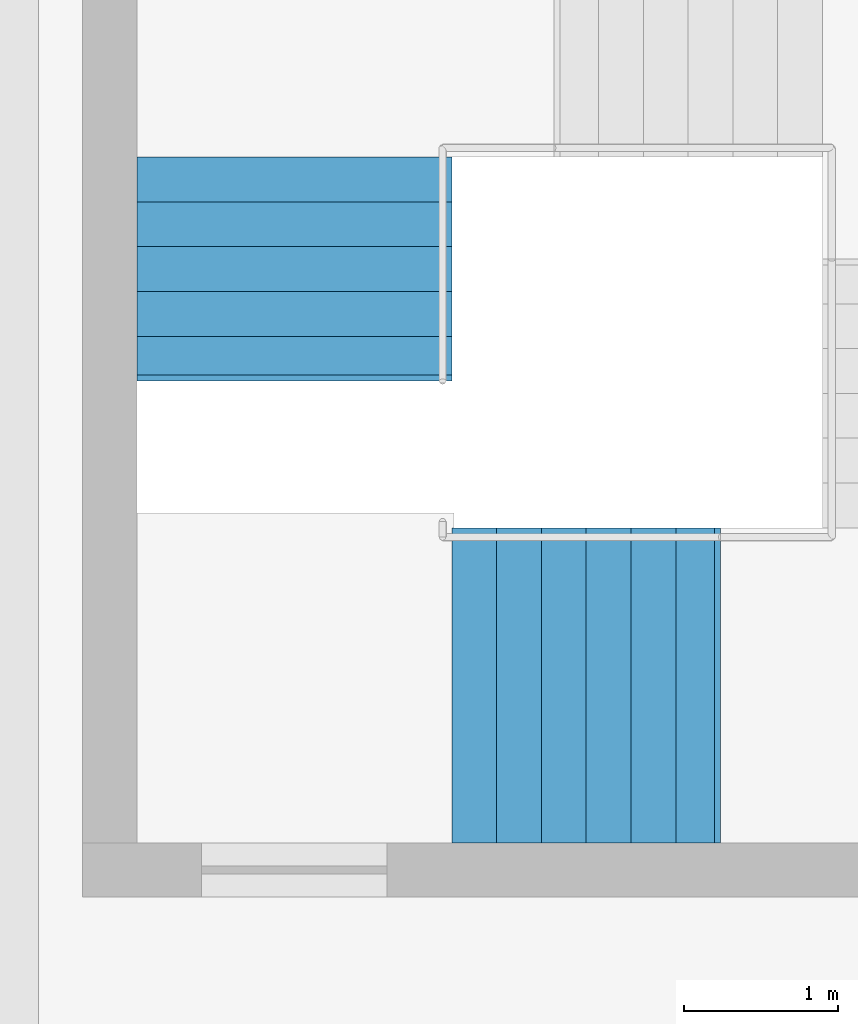
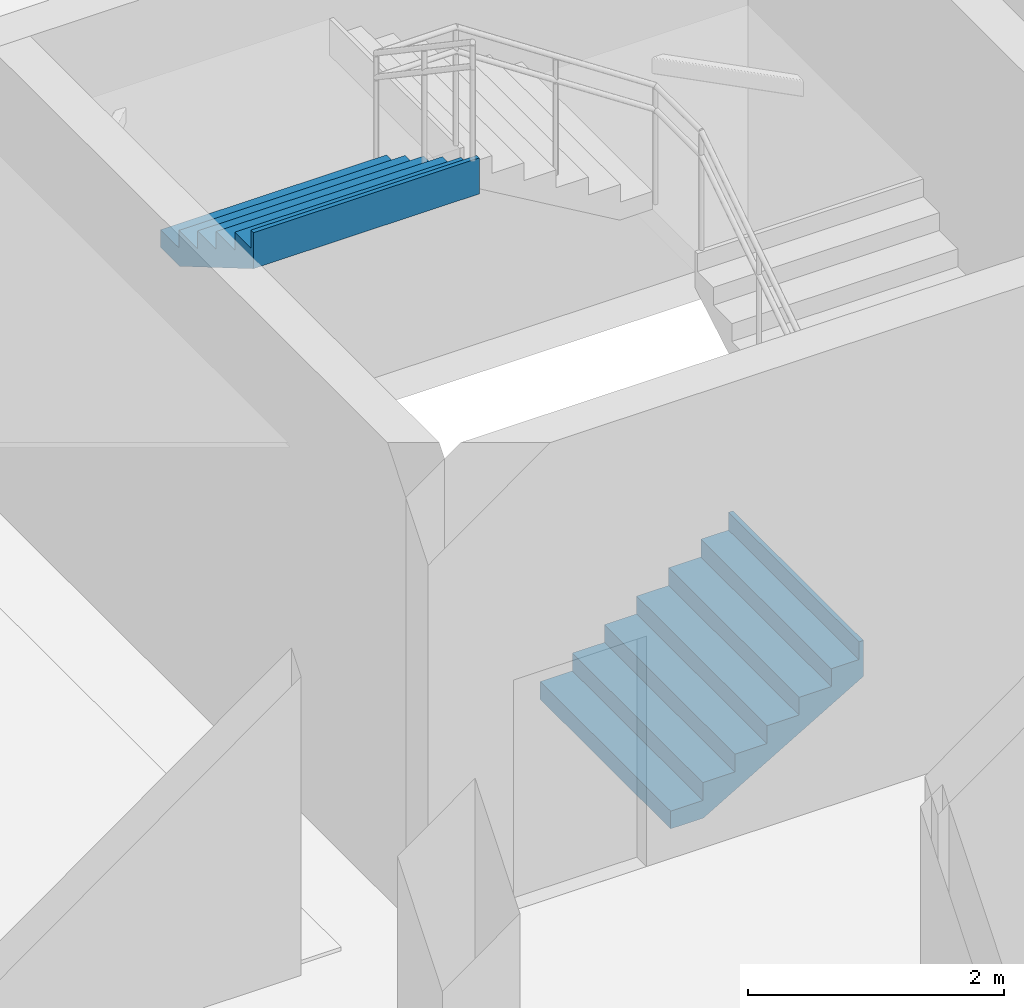
# One storey, part 50 of 58: 2 stair flights, 1 element without a shape of its own.
"""IFC4 building model written with IfcOpenShell, lengths in metres."""

from ifc_helpers import new_model, si_unit, direction, frame, origin, place, context, subcontext, project, spatial, triangles, material, type_object, element, aggregate, save


model = new_model("IFC4")

# Units and contexts
model_context = context("Model", 3, precision=1e-05, world=origin(), true_north=direction((0.0, 1.0)))
body_context = subcontext(model_context, "Body", "Model", "MODEL_VIEW")
ifc_project = project(units=[si_unit("LENGTHUNIT", "METRE"), si_unit("AREAUNIT", "SQUARE_METRE"), si_unit("VOLUMEUNIT", "CUBIC_METRE"), si_unit("PLANEANGLEUNIT", "RADIAN"), si_unit("MASSUNIT", "GRAM", prefix="KILO")], contexts=[model_context])

# Site, building, storey
site_placement = place(None, origin())
site = spatial("IfcSite", under=ifc_project, at=site_placement, CompositionType="ELEMENT")
building_placement = place(site_placement, origin())
building = spatial("IfcBuilding", under=site, at=building_placement, Name="Sillaruma Civic Art Gallery", CompositionType="ELEMENT")
storey_placement = place(building_placement, frame((0.0, 0.0, 28.56005859375)))
storey = spatial("IfcBuildingStorey", under=building, at=storey_placement, Name="L05", CompositionType="ELEMENT", Elevation=28.56005859375)

# Stair, stair flights
ifc_material = material(Name="Concrete H35 (35 MPa)", Category="concrete")
stair_type = type_object("IfcStairType", Name="STR-4F-27", PredefinedType="USERDEFINED", material=ifc_material)
stair_placement = place(storey_placement, origin())
stair = element("IfcStair", 1, at=stair_placement, inside=storey, type_object=stair_type, Name="Protected Exit Stair ST-04 (East Bar) (L05)", ObjectType="THREE_RETURN_STAIR", PredefinedType="USERDEFINED")
stair_flight_type_1 = type_object("IfcStairFlightType", Name="SFL-STR-6", PredefinedType="STRAIGHT", material=ifc_material)
stair_flight_1_placement = place(storey_placement, frame((99.8798828125, 55.64990234375, 3.56982421875), z_axis=(0.0, 0.0, 1.0), x_axis=(0.0, -1.0, 0.0)))
stair_flight_1 = element("IfcStairFlight", 2, at=stair_flight_1_placement, type_object=stair_flight_type_1, Name="ST-04 flight 4", NumberOfRisers=6, NumberOfTreads=5, PredefinedType="STRAIGHT", RiserHeight=0.17, TreadLength=0.29, context=body_context, shape_type="Tessellation", body=[
    triangles([(0.0, -1.02001953125, 0.0), (0.29, -1.02001953125, 0.0), (0.296365, -1.02001953125, 0.0), (0.58, -1.02001953125, 0.166269), (0.87, -1.02001953125, 0.336269), (1.16, -1.02001953125, 0.506269), (1.409951, -1.02001953125, 0.652792), (1.449951, -1.02001953125, 0.67624), (1.449951, -1.02001953125, 1.02), (1.409951, -1.02001953125, 1.02), (1.409951, -1.02001953125, 0.85), (1.16, -1.02001953125, 0.85), (1.16, -1.02001953125, 0.68), (0.87, -1.02001953125, 0.68), (0.87, -1.02001953125, 0.51), (0.58, -1.02001953125, 0.51), (0.58, -1.02001953125, 0.34), (0.296365, -1.02001953125, 0.34), (0.29, -1.02001953125, 0.34), (0.29, -1.02001953125, 0.17), (0.0, -1.02001953125, 0.17), (0.0, -0.05, 0.0), (0.29, -0.05, 0.0), (0.296365, -0.05, 0.0), (0.58, -0.05, 0.166269), (0.87, -0.05, 0.336269), (1.16, -0.05, 0.506269), (1.409951, -0.05, 0.652792), (1.449951, -0.05, 0.67624), (1.449951, -0.05, 1.02), (1.409951, -0.05, 1.02), (1.409951, -0.05, 0.85), (1.16, -0.05, 0.85), (1.16, -0.05, 0.68), (0.87, -0.05, 0.68), (0.87, -0.05, 0.51), (0.58, -0.05, 0.51), (0.58, -0.05, 0.34), (0.296365, -0.05, 0.34), (0.29, -0.05, 0.34), (0.29, -0.05, 0.17), (0.0, -0.05, 0.17), (0.0, -0.0375, 0.0), (0.29, -0.0375, 0.0), (0.296365, -0.0375, 0.0), (0.58, -0.0375, 0.166269), (0.87, -0.0375, 0.336269), (1.16, -0.0375, 0.506269), (1.409951, -0.0375, 0.652792), (1.449951, -0.0375, 0.67624), (1.449951, -0.0375, 1.02), (1.409951, -0.0375, 1.02), (1.409951, -0.0375, 0.85), (1.16, -0.0375, 0.85), (1.16, -0.0375, 0.68), (0.87, -0.0375, 0.68), (0.87, -0.0375, 0.51), (0.58, -0.0375, 0.51), (0.58, -0.0375, 0.34), (0.296365, -0.0375, 0.34), (0.29, -0.0375, 0.34), (0.29, -0.0375, 0.17), (0.0, -0.0375, 0.17), (0.0, -0.025, 0.0), (0.29, -0.025, 0.0), (0.296365, -0.025, 0.0), (0.58, -0.025, 0.166269), (0.87, -0.025, 0.336269), (1.16, -0.025, 0.506269), (1.409951, -0.025, 0.652792), (1.449951, -0.025, 0.67624), (1.449951, -0.025, 1.02), (1.409951, -0.025, 1.02), (1.409951, -0.025, 0.85), (1.16, -0.025, 0.85), (1.16, -0.025, 0.68), (0.87, -0.025, 0.68), (0.87, -0.025, 0.51), (0.58, -0.025, 0.51), (0.58, -0.025, 0.34), (0.296365, -0.025, 0.34), (0.29, -0.025, 0.34), (0.29, -0.025, 0.17), (0.0, -0.025, 0.17), (0.0, -0.0125, 0.0), (0.29, -0.0125, 0.0), (0.296365, -0.0125, 0.0), (0.58, -0.0125, 0.166269), (0.87, -0.0125, 0.336269), (1.16, -0.0125, 0.506269), (1.409951, -0.0125, 0.652792), (1.449951, -0.0125, 0.67624), (1.449951, -0.0125, 1.02), (1.409951, -0.0125, 1.02), (1.409951, -0.0125, 0.85), (1.16, -0.0125, 0.85), (1.16, -0.0125, 0.68), (0.87, -0.0125, 0.68), (0.87, -0.0125, 0.51), (0.58, -0.0125, 0.51), (0.58, -0.0125, 0.34), (0.296365, -0.0125, 0.34), (0.29, -0.0125, 0.34), (0.29, -0.0125, 0.17), (0.0, -0.0125, 0.17), (0.0, 0.0, 0.0), (0.29, 0.0, 0.0), (0.296365, 0.0, 0.0), (0.58, 0.0, 0.166269), (0.87, 0.0, 0.336269), (1.16, 0.0, 0.506269), (1.409951, 0.0, 0.652792), (1.449951, 0.0, 0.67624), (1.449951, 0.0, 1.02), (1.409951, 0.0, 1.02), (1.409951, 0.0, 0.85), (1.16, 0.0, 0.85), (1.16, 0.0, 0.68), (0.87, 0.0, 0.68), (0.87, 0.0, 0.51), (0.58, 0.0, 0.51), (0.58, 0.0, 0.34), (0.296365, 0.0, 0.34), (0.29, 0.0, 0.34), (0.29, 0.0, 0.17), (0.0, 0.0, 0.17), (0.0, 0.0125, 0.0), (0.29, 0.0125, 0.0), (0.296365, 0.0125, 0.0), (0.58, 0.0125, 0.166269), (0.87, 0.0125, 0.336269), (1.16, 0.0125, 0.506269), (1.409951, 0.0125, 0.652792), (1.449951, 0.0125, 0.67624), (1.449951, 0.0125, 1.02), (1.409951, 0.0125, 1.02), (1.409951, 0.0125, 0.85), (1.16, 0.0125, 0.85), (1.16, 0.0125, 0.68), (0.87, 0.0125, 0.68), (0.87, 0.0125, 0.51), (0.58, 0.0125, 0.51), (0.58, 0.0125, 0.34), (0.296365, 0.0125, 0.34), (0.29, 0.0125, 0.34), (0.29, 0.0125, 0.17), (0.0, 0.0125, 0.17), (0.0, 0.025, 0.0), (0.29, 0.025, 0.0), (0.296365, 0.025, 0.0), (0.58, 0.025, 0.166269), (0.87, 0.025, 0.336269), (1.16, 0.025, 0.506269), (1.409951, 0.025, 0.652792), (1.449951, 0.025, 0.67624), (1.449951, 0.025, 1.02), (1.409951, 0.025, 1.02), (1.409951, 0.025, 0.85), (1.16, 0.025, 0.85), (1.16, 0.025, 0.68), (0.87, 0.025, 0.68), (0.87, 0.025, 0.51), (0.58, 0.025, 0.51), (0.58, 0.025, 0.34), (0.296365, 0.025, 0.34), (0.29, 0.025, 0.34), (0.29, 0.025, 0.17), (0.0, 0.025, 0.17), (0.0, 0.0375, 0.0), (0.29, 0.0375, 0.0), (0.296365, 0.0375, 0.0), (0.58, 0.0375, 0.166269), (0.87, 0.0375, 0.336269), (1.16, 0.0375, 0.506269), (1.409951, 0.0375, 0.652792), (1.449951, 0.0375, 0.67624), (1.449951, 0.0375, 1.02), (1.409951, 0.0375, 1.02), (1.409951, 0.0375, 0.85), (1.16, 0.0375, 0.85), (1.16, 0.0375, 0.68), (0.87, 0.0375, 0.68), (0.87, 0.0375, 0.51), (0.58, 0.0375, 0.51), (0.58, 0.0375, 0.34), (0.296365, 0.0375, 0.34), (0.29, 0.0375, 0.34), (0.29, 0.0375, 0.17), (0.0, 0.0375, 0.17), (0.0, 0.05, 0.0), (0.29, 0.05, 0.0), (0.296365, 0.05, 0.0), (0.58, 0.05, 0.166269), (0.87, 0.05, 0.336269), (1.16, 0.05, 0.506269), (1.409951, 0.05, 0.652792), (1.449951, 0.05, 0.67624), (1.449951, 0.05, 1.02), (1.409951, 0.05, 1.02), (1.409951, 0.05, 0.85), (1.16, 0.05, 0.85), (1.16, 0.05, 0.68), (0.87, 0.05, 0.68), (0.87, 0.05, 0.51), (0.58, 0.05, 0.51), (0.58, 0.05, 0.34), (0.296365, 0.05, 0.34), (0.29, 0.05, 0.34), (0.29, 0.05, 0.17), (0.0, 0.05, 0.17), (0.0, 1.02001953125, 0.0), (0.29, 1.02001953125, 0.0), (0.296365, 1.02001953125, 0.0), (0.58, 1.02001953125, 0.166269), (0.87, 1.02001953125, 0.336269), (1.16, 1.02001953125, 0.506269), (1.409951, 1.02001953125, 0.652792), (1.449951, 1.02001953125, 0.67624), (1.449951, 1.02001953125, 1.02), (1.409951, 1.02001953125, 1.02), (1.409951, 1.02001953125, 0.85), (1.16, 1.02001953125, 0.85), (1.16, 1.02001953125, 0.68), (0.87, 1.02001953125, 0.68), (0.87, 1.02001953125, 0.51), (0.58, 1.02001953125, 0.51), (0.58, 1.02001953125, 0.34), (0.296365, 1.02001953125, 0.34), (0.29, 1.02001953125, 0.34), (0.29, 1.02001953125, 0.17), (0.0, 1.02001953125, 0.17)], [[1, 2, 20], [1, 20, 21], [2, 3, 18], [2, 18, 20], [20, 18, 19], [3, 4, 17], [3, 17, 18], [4, 5, 15], [4, 15, 17], [17, 15, 16], [5, 6, 13], [5, 13, 15], [15, 13, 14], [6, 7, 11], [6, 11, 13], [13, 11, 12], [7, 8, 9], [7, 9, 11], [11, 9, 10], [230, 212, 211], [231, 230, 211], [228, 213, 212], [230, 228, 212], [229, 228, 230], [227, 214, 213], [228, 227, 213], [225, 215, 214], [227, 225, 214], [226, 225, 227], [223, 216, 215], [225, 223, 215], [224, 223, 225], [221, 217, 216], [223, 221, 216], [222, 221, 223], [219, 218, 217], [221, 219, 217], [220, 219, 221], [2, 1, 22], [2, 22, 23], [3, 2, 23], [3, 23, 24], [4, 3, 24], [4, 24, 25], [5, 4, 25], [5, 25, 26], [6, 5, 26], [6, 26, 27], [7, 6, 27], [7, 27, 28], [8, 7, 28], [8, 28, 29], [9, 8, 29], [9, 29, 30], [10, 9, 30], [10, 30, 31], [11, 10, 31], [11, 31, 32], [12, 11, 32], [12, 32, 33], [13, 12, 33], [13, 33, 34], [14, 13, 34], [14, 34, 35], [15, 14, 35], [15, 35, 36], [16, 15, 36], [16, 36, 37], [17, 16, 37], [17, 37, 38], [18, 17, 38], [18, 38, 39], [19, 18, 39], [19, 39, 40], [20, 19, 40], [20, 40, 41], [21, 20, 41], [21, 41, 42], [1, 21, 42], [1, 42, 22], [23, 22, 43], [23, 43, 44], [24, 23, 44], [24, 44, 45], [25, 24, 45], [25, 45, 46], [26, 25, 46], [26, 46, 47], [27, 26, 47], [27, 47, 48], [28, 27, 48], [28, 48, 49], [29, 28, 49], [29, 49, 50], [30, 29, 50], [30, 50, 51], [31, 30, 51], [31, 51, 52], [32, 31, 52], [32, 52, 53], [33, 32, 53], [33, 53, 54], [34, 33, 54], [34, 54, 55], [35, 34, 55], [35, 55, 56], [36, 35, 56], [36, 56, 57], [37, 36, 57], [37, 57, 58], [38, 37, 58], [38, 58, 59], [39, 38, 59], [39, 59, 60], [40, 39, 60], [40, 60, 61], [41, 40, 61], [41, 61, 62], [42, 41, 62], [42, 62, 63], [22, 42, 63], [22, 63, 43], [44, 43, 64], [44, 64, 65], [45, 44, 65], [45, 65, 66], [46, 45, 66], [46, 66, 67], [47, 46, 67], [47, 67, 68], [48, 47, 68], [48, 68, 69], [49, 48, 69], [49, 69, 70], [50, 49, 70], [50, 70, 71], [51, 50, 71], [51, 71, 72], [52, 51, 72], [52, 72, 73], [53, 52, 73], [53, 73, 74], [54, 53, 74], [54, 74, 75], [55, 54, 75], [55, 75, 76], [56, 55, 76], [56, 76, 77], [57, 56, 77], [57, 77, 78], [58, 57, 78], [58, 78, 79], [59, 58, 79], [59, 79, 80], [60, 59, 80], [60, 80, 81], [61, 60, 81], [61, 81, 82], [62, 61, 82], [62, 82, 83], [63, 62, 83], [63, 83, 84], [43, 63, 84], [43, 84, 64], [65, 64, 85], [65, 85, 86], [66, 65, 86], [66, 86, 87], [67, 66, 87], [67, 87, 88], [68, 67, 88], [68, 88, 89], [69, 68, 89], [69, 89, 90], [70, 69, 90], [70, 90, 91], [71, 70, 91], [71, 91, 92], [72, 71, 92], [72, 92, 93], [73, 72, 93], [73, 93, 94], [74, 73, 94], [74, 94, 95], [75, 74, 95], [75, 95, 96], [76, 75, 96], [76, 96, 97], [77, 76, 97], [77, 97, 98], [78, 77, 98], [78, 98, 99], [79, 78, 99], [79, 99, 100], [80, 79, 100], [80, 100, 101], [81, 80, 101], [81, 101, 102], [82, 81, 102], [82, 102, 103], [83, 82, 103], [83, 103, 104], [84, 83, 104], [84, 104, 105], [64, 84, 105], [64, 105, 85], [86, 85, 106], [86, 106, 107], [87, 86, 107], [87, 107, 108], [88, 87, 108], [88, 108, 109], [89, 88, 109], [89, 109, 110], [90, 89, 110], [90, 110, 111], [91, 90, 111], [91, 111, 112], [92, 91, 112], [92, 112, 113], [93, 92, 113], [93, 113, 114], [94, 93, 114], [94, 114, 115], [95, 94, 115], [95, 115, 116], [96, 95, 116], [96, 116, 117], [97, 96, 117], [97, 117, 118], [98, 97, 118], [98, 118, 119], [99, 98, 119], [99, 119, 120], [100, 99, 120], [100, 120, 121], [101, 100, 121], [101, 121, 122], [102, 101, 122], [102, 122, 123], [103, 102, 123], [103, 123, 124], [104, 103, 124], [104, 124, 125], [105, 104, 125], [105, 125, 126], [85, 105, 126], [85, 126, 106], [107, 106, 127], [107, 127, 128], [108, 107, 128], [108, 128, 129], [109, 108, 129], [109, 129, 130], [110, 109, 130], [110, 130, 131], [111, 110, 131], [111, 131, 132], [112, 111, 132], [112, 132, 133], [113, 112, 133], [113, 133, 134], [114, 113, 134], [114, 134, 135], [115, 114, 135], [115, 135, 136], [116, 115, 136], [116, 136, 137], [117, 116, 137], [117, 137, 138], [118, 117, 138], [118, 138, 139], [119, 118, 139], [119, 139, 140], [120, 119, 140], [120, 140, 141], [121, 120, 141], [121, 141, 142], [122, 121, 142], [122, 142, 143], [123, 122, 143], [123, 143, 144], [124, 123, 144], [124, 144, 145], [125, 124, 145], [125, 145, 146], [126, 125, 146], [126, 146, 147], [106, 126, 147], [106, 147, 127], [128, 127, 148], [128, 148, 149], [129, 128, 149], [129, 149, 150], [130, 129, 150], [130, 150, 151], [131, 130, 151], [131, 151, 152], [132, 131, 152], [132, 152, 153], [133, 132, 153], [133, 153, 154], [134, 133, 154], [134, 154, 155], [135, 134, 155], [135, 155, 156], [136, 135, 156], [136, 156, 157], [137, 136, 157], [137, 157, 158], [138, 137, 158], [138, 158, 159], [139, 138, 159], [139, 159, 160], [140, 139, 160], [140, 160, 161], [141, 140, 161], [141, 161, 162], [142, 141, 162], [142, 162, 163], [143, 142, 163], [143, 163, 164], [144, 143, 164], [144, 164, 165], [145, 144, 165], [145, 165, 166], [146, 145, 166], [146, 166, 167], [147, 146, 167], [147, 167, 168], [127, 147, 168], [127, 168, 148], [149, 148, 169], [149, 169, 170], [150, 149, 170], [150, 170, 171], [151, 150, 171], [151, 171, 172], [152, 151, 172], [152, 172, 173], [153, 152, 173], [153, 173, 174], [154, 153, 174], [154, 174, 175], [155, 154, 175], [155, 175, 176], [156, 155, 176], [156, 176, 177], [157, 156, 177], [157, 177, 178], [158, 157, 178], [158, 178, 179], [159, 158, 179], [159, 179, 180], [160, 159, 180], [160, 180, 181], [161, 160, 181], [161, 181, 182], [162, 161, 182], [162, 182, 183], [163, 162, 183], [163, 183, 184], [164, 163, 184], [164, 184, 185], [165, 164, 185], [165, 185, 186], [166, 165, 186], [166, 186, 187], [167, 166, 187], [167, 187, 188], [168, 167, 188], [168, 188, 189], [148, 168, 189], [148, 189, 169], [170, 169, 190], [170, 190, 191], [171, 170, 191], [171, 191, 192], [172, 171, 192], [172, 192, 193], [173, 172, 193], [173, 193, 194], [174, 173, 194], [174, 194, 195], [175, 174, 195], [175, 195, 196], [176, 175, 196], [176, 196, 197], [177, 176, 197], [177, 197, 198], [178, 177, 198], [178, 198, 199], [179, 178, 199], [179, 199, 200], [180, 179, 200], [180, 200, 201], [181, 180, 201], [181, 201, 202], [182, 181, 202], [182, 202, 203], [183, 182, 203], [183, 203, 204], [184, 183, 204], [184, 204, 205], [185, 184, 205], [185, 205, 206], [186, 185, 206], [186, 206, 207], [187, 186, 207], [187, 207, 208], [188, 187, 208], [188, 208, 209], [189, 188, 209], [189, 209, 210], [169, 189, 210], [169, 210, 190], [191, 190, 211], [191, 211, 212], [192, 191, 212], [192, 212, 213], [193, 192, 213], [193, 213, 214], [194, 193, 214], [194, 214, 215], [195, 194, 215], [195, 215, 216], [196, 195, 216], [196, 216, 217], [197, 196, 217], [197, 217, 218], [198, 197, 218], [198, 218, 219], [199, 198, 219], [199, 219, 220], [200, 199, 220], [200, 220, 221], [201, 200, 221], [201, 221, 222], [202, 201, 222], [202, 222, 223], [203, 202, 223], [203, 223, 224], [204, 203, 224], [204, 224, 225], [205, 204, 225], [205, 225, 226], [206, 205, 226], [206, 226, 227], [207, 206, 227], [207, 227, 228], [208, 207, 228], [208, 228, 229], [209, 208, 229], [209, 229, 230], [210, 209, 230], [210, 230, 231], [190, 210, 231], [190, 231, 211]], closed=True),
])
stair_flight_type_2 = type_object("IfcStairFlightType", Name="SFL-STR-7", PredefinedType="STRAIGHT", material=ifc_material)
stair_flight_2_placement = place(storey_placement, frame((100.89990234375, 52.22998046875, 0.0), z_axis=(0.0, 0.0, 1.0), x_axis=(1.0, 0.0, 0.0)))
stair_flight_2 = element("IfcStairFlight", 3, at=stair_flight_2_placement, type_object=stair_flight_type_2, Name="ST-04 flight 1", NumberOfRisers=7, NumberOfTreads=6, PredefinedType="STRAIGHT", RiserHeight=0.17, TreadLength=0.29, context=body_context, shape_type="Tessellation", body=[
    triangles([(0.0, -1.02001953125, 0.0), (0.29, -1.02001953125, 0.0), (0.296404, -1.02001953125, 0.0), (0.58, -1.02001953125, 0.166246), (0.87, -1.02001953125, 0.336246), (1.16, -1.02001953125, 0.506246), (1.45, -1.02001953125, 0.676246), (1.69999, -1.02001953125, 0.822792), (1.73999, -1.02001953125, 0.84624), (1.73999, -1.02001953125, 1.19), (1.69999, -1.02001953125, 1.19), (1.69999, -1.02001953125, 1.02), (1.45, -1.02001953125, 1.02), (1.45, -1.02001953125, 0.85), (1.16, -1.02001953125, 0.85), (1.16, -1.02001953125, 0.68), (0.87, -1.02001953125, 0.68), (0.87, -1.02001953125, 0.51), (0.58, -1.02001953125, 0.51), (0.58, -1.02001953125, 0.34), (0.296404, -1.02001953125, 0.34), (0.29, -1.02001953125, 0.34), (0.29, -1.02001953125, 0.17), (0.0, -1.02001953125, 0.17), (0.0, -0.05, 0.0), (0.29, -0.05, 0.0), (0.296404, -0.05, 0.0), (0.58, -0.05, 0.166246), (0.87, -0.05, 0.336246), (1.16, -0.05, 0.506246), (1.45, -0.05, 0.676246), (1.69999, -0.05, 0.822792), (1.73999, -0.05, 0.84624), (1.73999, -0.05, 1.19), (1.69999, -0.05, 1.19), (1.69999, -0.05, 1.02), (1.45, -0.05, 1.02), (1.45, -0.05, 0.85), (1.16, -0.05, 0.85), (1.16, -0.05, 0.68), (0.87, -0.05, 0.68), (0.87, -0.05, 0.51), (0.58, -0.05, 0.51), (0.58, -0.05, 0.34), (0.296404, -0.05, 0.34), (0.29, -0.05, 0.34), (0.29, -0.05, 0.17), (0.0, -0.05, 0.17), (0.0, -0.0375, 0.0), (0.29, -0.0375, 0.0), (0.296404, -0.0375, 0.0), (0.58, -0.0375, 0.166246), (0.87, -0.0375, 0.336246), (1.16, -0.0375, 0.506246), (1.45, -0.0375, 0.676246), (1.69999, -0.0375, 0.822792), (1.73999, -0.0375, 0.84624), (1.73999, -0.0375, 1.19), (1.69999, -0.0375, 1.19), (1.69999, -0.0375, 1.02), (1.45, -0.0375, 1.02), (1.45, -0.0375, 0.85), (1.16, -0.0375, 0.85), (1.16, -0.0375, 0.68), (0.87, -0.0375, 0.68), (0.87, -0.0375, 0.51), (0.58, -0.0375, 0.51), (0.58, -0.0375, 0.34), (0.296404, -0.0375, 0.34), (0.29, -0.0375, 0.34), (0.29, -0.0375, 0.17), (0.0, -0.0375, 0.17), (0.0, -0.025, 0.0), (0.29, -0.025, 0.0), (0.296404, -0.025, 0.0), (0.58, -0.025, 0.166246), (0.87, -0.025, 0.336246), (1.16, -0.025, 0.506246), (1.45, -0.025, 0.676246), (1.69999, -0.025, 0.822792), (1.73999, -0.025, 0.84624), (1.73999, -0.025, 1.19), (1.69999, -0.025, 1.19), (1.69999, -0.025, 1.02), (1.45, -0.025, 1.02), (1.45, -0.025, 0.85), (1.16, -0.025, 0.85), (1.16, -0.025, 0.68), (0.87, -0.025, 0.68), (0.87, -0.025, 0.51), (0.58, -0.025, 0.51), (0.58, -0.025, 0.34), (0.296404, -0.025, 0.34), (0.29, -0.025, 0.34), (0.29, -0.025, 0.17), (0.0, -0.025, 0.17), (0.0, -0.0125, 0.0), (0.29, -0.0125, 0.0), (0.296404, -0.0125, 0.0), (0.58, -0.0125, 0.166246), (0.87, -0.0125, 0.336246), (1.16, -0.0125, 0.506246), (1.45, -0.0125, 0.676246), (1.69999, -0.0125, 0.822792), (1.73999, -0.0125, 0.84624), (1.73999, -0.0125, 1.19), (1.69999, -0.0125, 1.19), (1.69999, -0.0125, 1.02), (1.45, -0.0125, 1.02), (1.45, -0.0125, 0.85), (1.16, -0.0125, 0.85), (1.16, -0.0125, 0.68), (0.87, -0.0125, 0.68), (0.87, -0.0125, 0.51), (0.58, -0.0125, 0.51), (0.58, -0.0125, 0.34), (0.296404, -0.0125, 0.34), (0.29, -0.0125, 0.34), (0.29, -0.0125, 0.17), (0.0, -0.0125, 0.17), (0.0, 0.0, 0.0), (0.29, 0.0, 0.0), (0.296404, 0.0, 0.0), (0.58, 0.0, 0.166246), (0.87, 0.0, 0.336246), (1.16, 0.0, 0.506246), (1.45, 0.0, 0.676246), (1.69999, 0.0, 0.822792), (1.73999, 0.0, 0.84624), (1.73999, 0.0, 1.19), (1.69999, 0.0, 1.19), (1.69999, 0.0, 1.02), (1.45, 0.0, 1.02), (1.45, 0.0, 0.85), (1.16, 0.0, 0.85), (1.16, 0.0, 0.68), (0.87, 0.0, 0.68), (0.87, 0.0, 0.51), (0.58, 0.0, 0.51), (0.58, 0.0, 0.34), (0.296404, 0.0, 0.34), (0.29, 0.0, 0.34), (0.29, 0.0, 0.17), (0.0, 0.0, 0.17), (0.0, 0.0125, 0.0), (0.29, 0.0125, 0.0), (0.296404, 0.0125, 0.0), (0.58, 0.0125, 0.166246), (0.87, 0.0125, 0.336246), (1.16, 0.0125, 0.506246), (1.45, 0.0125, 0.676246), (1.69999, 0.0125, 0.822792), (1.73999, 0.0125, 0.84624), (1.73999, 0.0125, 1.19), (1.69999, 0.0125, 1.19), (1.69999, 0.0125, 1.02), (1.45, 0.0125, 1.02), (1.45, 0.0125, 0.85), (1.16, 0.0125, 0.85), (1.16, 0.0125, 0.68), (0.87, 0.0125, 0.68), (0.87, 0.0125, 0.51), (0.58, 0.0125, 0.51), (0.58, 0.0125, 0.34), (0.296404, 0.0125, 0.34), (0.29, 0.0125, 0.34), (0.29, 0.0125, 0.17), (0.0, 0.0125, 0.17), (0.0, 0.025, 0.0), (0.29, 0.025, 0.0), (0.296404, 0.025, 0.0), (0.58, 0.025, 0.166246), (0.87, 0.025, 0.336246), (1.16, 0.025, 0.506246), (1.45, 0.025, 0.676246), (1.69999, 0.025, 0.822792), (1.73999, 0.025, 0.84624), (1.73999, 0.025, 1.19), (1.69999, 0.025, 1.19), (1.69999, 0.025, 1.02), (1.45, 0.025, 1.02), (1.45, 0.025, 0.85), (1.16, 0.025, 0.85), (1.16, 0.025, 0.68), (0.87, 0.025, 0.68), (0.87, 0.025, 0.51), (0.58, 0.025, 0.51), (0.58, 0.025, 0.34), (0.296404, 0.025, 0.34), (0.29, 0.025, 0.34), (0.29, 0.025, 0.17), (0.0, 0.025, 0.17), (0.0, 0.0375, 0.0), (0.29, 0.0375, 0.0), (0.296404, 0.0375, 0.0), (0.58, 0.0375, 0.166246), (0.87, 0.0375, 0.336246), (1.16, 0.0375, 0.506246), (1.45, 0.0375, 0.676246), (1.69999, 0.0375, 0.822792), (1.73999, 0.0375, 0.84624), (1.73999, 0.0375, 1.19), (1.69999, 0.0375, 1.19), (1.69999, 0.0375, 1.02), (1.45, 0.0375, 1.02), (1.45, 0.0375, 0.85), (1.16, 0.0375, 0.85), (1.16, 0.0375, 0.68), (0.87, 0.0375, 0.68), (0.87, 0.0375, 0.51), (0.58, 0.0375, 0.51), (0.58, 0.0375, 0.34), (0.296404, 0.0375, 0.34), (0.29, 0.0375, 0.34), (0.29, 0.0375, 0.17), (0.0, 0.0375, 0.17), (0.0, 0.05, 0.0), (0.29, 0.05, 0.0), (0.296404, 0.05, 0.0), (0.58, 0.05, 0.166246), (0.87, 0.05, 0.336246), (1.16, 0.05, 0.506246), (1.45, 0.05, 0.676246), (1.69999, 0.05, 0.822792), (1.73999, 0.05, 0.84624), (1.73999, 0.05, 1.19), (1.69999, 0.05, 1.19), (1.69999, 0.05, 1.02), (1.45, 0.05, 1.02), (1.45, 0.05, 0.85), (1.16, 0.05, 0.85), (1.16, 0.05, 0.68), (0.87, 0.05, 0.68), (0.87, 0.05, 0.51), (0.58, 0.05, 0.51), (0.58, 0.05, 0.34), (0.296404, 0.05, 0.34), (0.29, 0.05, 0.34), (0.29, 0.05, 0.17), (0.0, 0.05, 0.17), (0.0, 1.02001953125, 0.0), (0.29, 1.02001953125, 0.0), (0.296404, 1.02001953125, 0.0), (0.58, 1.02001953125, 0.166246), (0.87, 1.02001953125, 0.336246), (1.16, 1.02001953125, 0.506246), (1.45, 1.02001953125, 0.676246), (1.69999, 1.02001953125, 0.822792), (1.73999, 1.02001953125, 0.84624), (1.73999, 1.02001953125, 1.19), (1.69999, 1.02001953125, 1.19), (1.69999, 1.02001953125, 1.02), (1.45, 1.02001953125, 1.02), (1.45, 1.02001953125, 0.85), (1.16, 1.02001953125, 0.85), (1.16, 1.02001953125, 0.68), (0.87, 1.02001953125, 0.68), (0.87, 1.02001953125, 0.51), (0.58, 1.02001953125, 0.51), (0.58, 1.02001953125, 0.34), (0.296404, 1.02001953125, 0.34), (0.29, 1.02001953125, 0.34), (0.29, 1.02001953125, 0.17), (0.0, 1.02001953125, 0.17)], [[1, 2, 23], [1, 23, 24], [2, 3, 21], [2, 21, 23], [23, 21, 22], [3, 4, 20], [3, 20, 21], [4, 5, 18], [4, 18, 20], [20, 18, 19], [5, 6, 16], [5, 16, 18], [18, 16, 17], [6, 7, 14], [6, 14, 16], [16, 14, 15], [7, 8, 12], [7, 12, 14], [14, 12, 13], [8, 9, 10], [8, 10, 12], [12, 10, 11], [263, 242, 241], [264, 263, 241], [261, 243, 242], [263, 261, 242], [262, 261, 263], [260, 244, 243], [261, 260, 243], [258, 245, 244], [260, 258, 244], [259, 258, 260], [256, 246, 245], [258, 256, 245], [257, 256, 258], [254, 247, 246], [256, 254, 246], [255, 254, 256], [252, 248, 247], [254, 252, 247], [253, 252, 254], [250, 249, 248], [252, 250, 248], [251, 250, 252], [2, 1, 25], [2, 25, 26], [3, 2, 26], [3, 26, 27], [4, 3, 27], [4, 27, 28], [5, 4, 28], [5, 28, 29], [6, 5, 29], [6, 29, 30], [7, 6, 30], [7, 30, 31], [8, 7, 31], [8, 31, 32], [9, 8, 32], [9, 32, 33], [10, 9, 33], [10, 33, 34], [11, 10, 34], [11, 34, 35], [12, 11, 35], [12, 35, 36], [13, 12, 36], [13, 36, 37], [14, 13, 37], [14, 37, 38], [15, 14, 38], [15, 38, 39], [16, 15, 39], [16, 39, 40], [17, 16, 40], [17, 40, 41], [18, 17, 41], [18, 41, 42], [19, 18, 42], [19, 42, 43], [20, 19, 43], [20, 43, 44], [21, 20, 44], [21, 44, 45], [22, 21, 45], [22, 45, 46], [23, 22, 46], [23, 46, 47], [24, 23, 47], [24, 47, 48], [1, 24, 48], [1, 48, 25], [26, 25, 49], [26, 49, 50], [27, 26, 50], [27, 50, 51], [28, 27, 51], [28, 51, 52], [29, 28, 52], [29, 52, 53], [30, 29, 53], [30, 53, 54], [31, 30, 54], [31, 54, 55], [32, 31, 55], [32, 55, 56], [33, 32, 56], [33, 56, 57], [34, 33, 57], [34, 57, 58], [35, 34, 58], [35, 58, 59], [36, 35, 59], [36, 59, 60], [37, 36, 60], [37, 60, 61], [38, 37, 61], [38, 61, 62], [39, 38, 62], [39, 62, 63], [40, 39, 63], [40, 63, 64], [41, 40, 64], [41, 64, 65], [42, 41, 65], [42, 65, 66], [43, 42, 66], [43, 66, 67], [44, 43, 67], [44, 67, 68], [45, 44, 68], [45, 68, 69], [46, 45, 69], [46, 69, 70], [47, 46, 70], [47, 70, 71], [48, 47, 71], [48, 71, 72], [25, 48, 72], [25, 72, 49], [50, 49, 73], [50, 73, 74], [51, 50, 74], [51, 74, 75], [52, 51, 75], [52, 75, 76], [53, 52, 76], [53, 76, 77], [54, 53, 77], [54, 77, 78], [55, 54, 78], [55, 78, 79], [56, 55, 79], [56, 79, 80], [57, 56, 80], [57, 80, 81], [58, 57, 81], [58, 81, 82], [59, 58, 82], [59, 82, 83], [60, 59, 83], [60, 83, 84], [61, 60, 84], [61, 84, 85], [62, 61, 85], [62, 85, 86], [63, 62, 86], [63, 86, 87], [64, 63, 87], [64, 87, 88], [65, 64, 88], [65, 88, 89], [66, 65, 89], [66, 89, 90], [67, 66, 90], [67, 90, 91], [68, 67, 91], [68, 91, 92], [69, 68, 92], [69, 92, 93], [70, 69, 93], [70, 93, 94], [71, 70, 94], [71, 94, 95], [72, 71, 95], [72, 95, 96], [49, 72, 96], [49, 96, 73], [74, 73, 97], [74, 97, 98], [75, 74, 98], [75, 98, 99], [76, 75, 99], [76, 99, 100], [77, 76, 100], [77, 100, 101], [78, 77, 101], [78, 101, 102], [79, 78, 102], [79, 102, 103], [80, 79, 103], [80, 103, 104], [81, 80, 104], [81, 104, 105], [82, 81, 105], [82, 105, 106], [83, 82, 106], [83, 106, 107], [84, 83, 107], [84, 107, 108], [85, 84, 108], [85, 108, 109], [86, 85, 109], [86, 109, 110], [87, 86, 110], [87, 110, 111], [88, 87, 111], [88, 111, 112], [89, 88, 112], [89, 112, 113], [90, 89, 113], [90, 113, 114], [91, 90, 114], [91, 114, 115], [92, 91, 115], [92, 115, 116], [93, 92, 116], [93, 116, 117], [94, 93, 117], [94, 117, 118], [95, 94, 118], [95, 118, 119], [96, 95, 119], [96, 119, 120], [73, 96, 120], [73, 120, 97], [98, 97, 121], [98, 121, 122], [99, 98, 122], [99, 122, 123], [100, 99, 123], [100, 123, 124], [101, 100, 124], [101, 124, 125], [102, 101, 125], [102, 125, 126], [103, 102, 126], [103, 126, 127], [104, 103, 127], [104, 127, 128], [105, 104, 128], [105, 128, 129], [106, 105, 129], [106, 129, 130], [107, 106, 130], [107, 130, 131], [108, 107, 131], [108, 131, 132], [109, 108, 132], [109, 132, 133], [110, 109, 133], [110, 133, 134], [111, 110, 134], [111, 134, 135], [112, 111, 135], [112, 135, 136], [113, 112, 136], [113, 136, 137], [114, 113, 137], [114, 137, 138], [115, 114, 138], [115, 138, 139], [116, 115, 139], [116, 139, 140], [117, 116, 140], [117, 140, 141], [118, 117, 141], [118, 141, 142], [119, 118, 142], [119, 142, 143], [120, 119, 143], [120, 143, 144], [97, 120, 144], [97, 144, 121], [122, 121, 145], [122, 145, 146], [123, 122, 146], [123, 146, 147], [124, 123, 147], [124, 147, 148], [125, 124, 148], [125, 148, 149], [126, 125, 149], [126, 149, 150], [127, 126, 150], [127, 150, 151], [128, 127, 151], [128, 151, 152], [129, 128, 152], [129, 152, 153], [130, 129, 153], [130, 153, 154], [131, 130, 154], [131, 154, 155], [132, 131, 155], [132, 155, 156], [133, 132, 156], [133, 156, 157], [134, 133, 157], [134, 157, 158], [135, 134, 158], [135, 158, 159], [136, 135, 159], [136, 159, 160], [137, 136, 160], [137, 160, 161], [138, 137, 161], [138, 161, 162], [139, 138, 162], [139, 162, 163], [140, 139, 163], [140, 163, 164], [141, 140, 164], [141, 164, 165], [142, 141, 165], [142, 165, 166], [143, 142, 166], [143, 166, 167], [144, 143, 167], [144, 167, 168], [121, 144, 168], [121, 168, 145], [146, 145, 169], [146, 169, 170], [147, 146, 170], [147, 170, 171], [148, 147, 171], [148, 171, 172], [149, 148, 172], [149, 172, 173], [150, 149, 173], [150, 173, 174], [151, 150, 174], [151, 174, 175], [152, 151, 175], [152, 175, 176], [153, 152, 176], [153, 176, 177], [154, 153, 177], [154, 177, 178], [155, 154, 178], [155, 178, 179], [156, 155, 179], [156, 179, 180], [157, 156, 180], [157, 180, 181], [158, 157, 181], [158, 181, 182], [159, 158, 182], [159, 182, 183], [160, 159, 183], [160, 183, 184], [161, 160, 184], [161, 184, 185], [162, 161, 185], [162, 185, 186], [163, 162, 186], [163, 186, 187], [164, 163, 187], [164, 187, 188], [165, 164, 188], [165, 188, 189], [166, 165, 189], [166, 189, 190], [167, 166, 190], [167, 190, 191], [168, 167, 191], [168, 191, 192], [145, 168, 192], [145, 192, 169], [170, 169, 193], [170, 193, 194], [171, 170, 194], [171, 194, 195], [172, 171, 195], [172, 195, 196], [173, 172, 196], [173, 196, 197], [174, 173, 197], [174, 197, 198], [175, 174, 198], [175, 198, 199], [176, 175, 199], [176, 199, 200], [177, 176, 200], [177, 200, 201], [178, 177, 201], [178, 201, 202], [179, 178, 202], [179, 202, 203], [180, 179, 203], [180, 203, 204], [181, 180, 204], [181, 204, 205], [182, 181, 205], [182, 205, 206], [183, 182, 206], [183, 206, 207], [184, 183, 207], [184, 207, 208], [185, 184, 208], [185, 208, 209], [186, 185, 209], [186, 209, 210], [187, 186, 210], [187, 210, 211], [188, 187, 211], [188, 211, 212], [189, 188, 212], [189, 212, 213], [190, 189, 213], [190, 213, 214], [191, 190, 214], [191, 214, 215], [192, 191, 215], [192, 215, 216], [169, 192, 216], [169, 216, 193], [194, 193, 217], [194, 217, 218], [195, 194, 218], [195, 218, 219], [196, 195, 219], [196, 219, 220], [197, 196, 220], [197, 220, 221], [198, 197, 221], [198, 221, 222], [199, 198, 222], [199, 222, 223], [200, 199, 223], [200, 223, 224], [201, 200, 224], [201, 224, 225], [202, 201, 225], [202, 225, 226], [203, 202, 226], [203, 226, 227], [204, 203, 227], [204, 227, 228], [205, 204, 228], [205, 228, 229], [206, 205, 229], [206, 229, 230], [207, 206, 230], [207, 230, 231], [208, 207, 231], [208, 231, 232], [209, 208, 232], [209, 232, 233], [210, 209, 233], [210, 233, 234], [211, 210, 234], [211, 234, 235], [212, 211, 235], [212, 235, 236], [213, 212, 236], [213, 236, 237], [214, 213, 237], [214, 237, 238], [215, 214, 238], [215, 238, 239], [216, 215, 239], [216, 239, 240], [193, 216, 240], [193, 240, 217], [218, 217, 241], [218, 241, 242], [219, 218, 242], [219, 242, 243], [220, 219, 243], [220, 243, 244], [221, 220, 244], [221, 244, 245], [222, 221, 245], [222, 245, 246], [223, 222, 246], [223, 246, 247], [224, 223, 247], [224, 247, 248], [225, 224, 248], [225, 248, 249], [226, 225, 249], [226, 249, 250], [227, 226, 250], [227, 250, 251], [228, 227, 251], [228, 251, 252], [229, 228, 252], [229, 252, 253], [230, 229, 253], [230, 253, 254], [231, 230, 254], [231, 254, 255], [232, 231, 255], [232, 255, 256], [233, 232, 256], [233, 256, 257], [234, 233, 257], [234, 257, 258], [235, 234, 258], [235, 258, 259], [236, 235, 259], [236, 259, 260], [237, 236, 260], [237, 260, 261], [238, 237, 261], [238, 261, 262], [239, 238, 262], [239, 262, 263], [240, 239, 263], [240, 263, 264], [217, 240, 264], [217, 264, 241]], closed=True),
])
aggregate(stair, [stair_flight_2, stair_flight_1])

save(model, "model.ifc")
